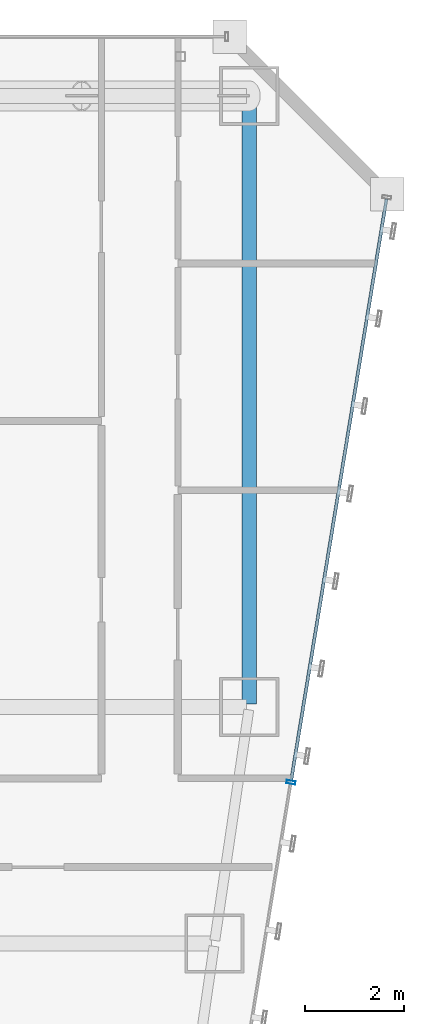
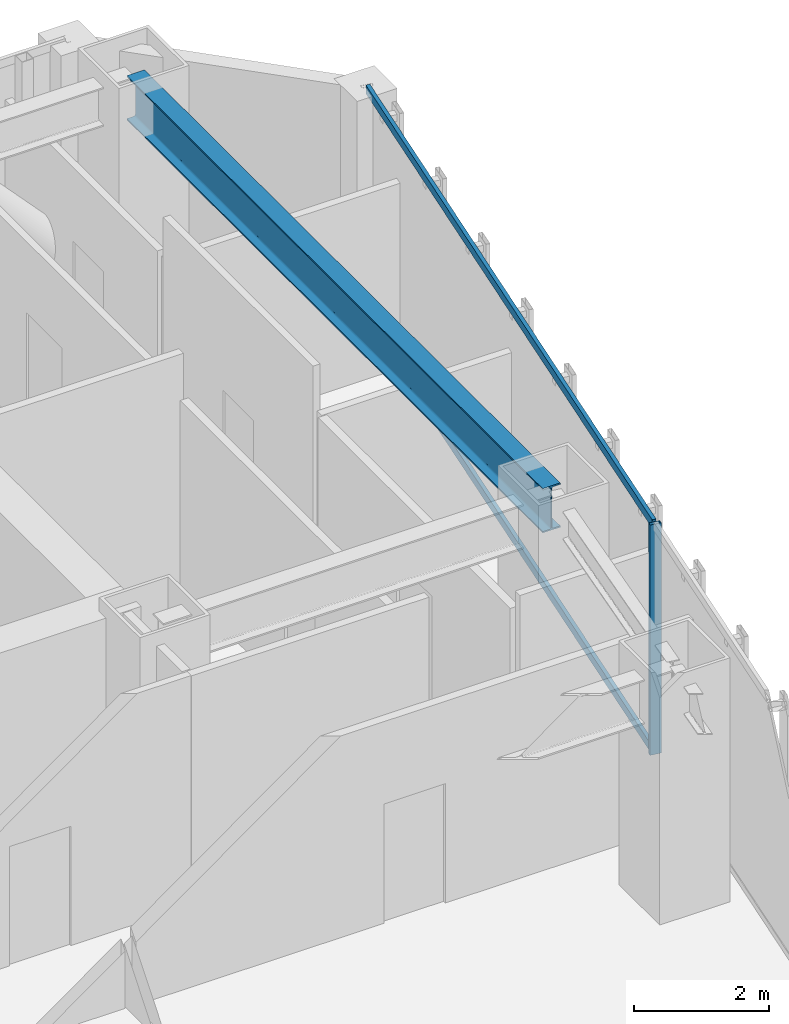
# One storey, part 31 of 47: 3 members, 1 beam, 1 element without a shape of its own.
"""IFC4 building model written with IfcOpenShell, lengths in metres."""

from ifc_helpers import new_model, si_unit, direction, frame, origin, origin_2d, place, context, subcontext, project, spatial, hollow_rectangle, i_section, extrude, material, material_profile, profile_set, type_object, element, aggregate, save


model = new_model("IFC4")

# Units and contexts
model_context = context("Model", 3, precision=1e-05, world=origin(), true_north=direction((0.0, 1.0)))
body_context = subcontext(model_context, "Body", "Model", "MODEL_VIEW")
ifc_project = project(units=[si_unit("LENGTHUNIT", "METRE"), si_unit("AREAUNIT", "SQUARE_METRE"), si_unit("VOLUMEUNIT", "CUBIC_METRE"), si_unit("PLANEANGLEUNIT", "RADIAN"), si_unit("MASSUNIT", "GRAM", prefix="KILO")], contexts=[model_context])

# Site, building, storey
site_placement = place(None, origin())
site = spatial("IfcSite", under=ifc_project, at=site_placement, CompositionType="ELEMENT")
building_placement = place(site_placement, origin())
building = spatial("IfcBuilding", under=site, at=building_placement, Name="Saevonmaru Cultural Tower", CompositionType="ELEMENT")
storey_placement = place(building_placement, frame((0.0, 0.0, 47.199951171875)))
storey = spatial("IfcBuildingStorey", under=building, at=storey_placement, Name="L09", CompositionType="ELEMENT", Elevation=47.199951171875)

# Beam
ifc_material_1 = material(Name="Steel SM420", Category="steel")
ifc_material_profile_1 = material_profile(ifc_material_1, i_section(OverallWidth=0.300048828125, OverallDepth=0.800048828125, WebThickness=0.013916015625, FlangeThickness=0.02587890625, FilletRadius=0.028076171875, at=origin_2d()), Name="H-800x300x14x26")
ifc_profile_set_1 = profile_set([ifc_material_profile_1], Name="Steel SM420")
beam_type = type_object("IfcBeamType", Name="BM-G-H800", PredefinedType="BEAM", material=ifc_profile_set_1)
beam_placement = place(storey_placement, frame((53.199951171875, 54.739990234375, 3.75), z_axis=(0.0, -1.0, 0.0), x_axis=(1.0, 0.0, 0.0)))
element("IfcBeam", 1, at=beam_placement, inside=storey, type_object=beam_type, Name="L09 Spine Transverse Girder E", PredefinedType="BEAM", context=body_context, shape_type="SweptSolid", body=[
    extrude(i_section(OverallWidth=0.300048828125, OverallDepth=0.800048828125, WebThickness=0.013916015625, FlangeThickness=0.02587890625, FilletRadius=0.028076171875, at=origin_2d()), origin(), (0.0, 0.0, 1.0), 12.280029296875),
])

# Curtain wall, members
ifc_material_2 = material(Name="Satin Bronze Anodised Aluminium", Category="aluminium")
curtain_wall_type = type_object("IfcCurtainWallType", Name="CW-TYP-A", PredefinedType="NOTDEFINED", material=ifc_material_2)
curtain_wall_placement = place(storey_placement, origin())
curtain_wall = element("IfcCurtainWall", 2, at=curtain_wall_placement, inside=storey, type_object=curtain_wall_type, Name="L09 Unitised Curtain Wall E8", PredefinedType="NOTDEFINED")
ifc_material_profile_2 = material_profile(ifc_material_2, hollow_rectangle(XDim=0.06494140625, YDim=0.179931640625, WallThickness=0.00390625, at=origin_2d()), Name="ALU-MULL-180x65x4")
ifc_profile_set_2 = profile_set([ifc_material_profile_2], Name="Satin Bronze Anodised Aluminium")
member_type_1 = type_object("IfcMemberType", Name="ML-CW-180x65", PredefinedType="MULLION", material=ifc_profile_set_2)
member_1_placement = place(storey_placement, frame((54.045166015625, 40.870361328125, 0.0), z_axis=(0.0, 0.0, 1.0), x_axis=(0.161708868641, 0.986838508472, 0.0)))
member_1 = element("IfcMember", 3, at=member_1_placement, type_object=member_type_1, Name="CW-TW-L09-E8 mullion 4", PredefinedType="MULLION", context=body_context, shape_type="SweptSolid", body=[
    extrude(hollow_rectangle(XDim=0.06494140625, YDim=0.179931640625, WallThickness=0.00390625, at=origin_2d()), origin(), (0.0, 0.0, 1.0), 4.150146484375),
])
ifc_material_profile_3 = material_profile(ifc_material_2, hollow_rectangle(XDim=0.06494140625, YDim=0.14990234375, WallThickness=0.00390625, at=origin_2d()), Name="ALU-TRAN-150x65x4")
ifc_profile_set_3 = profile_set([ifc_material_profile_3], Name="Satin Bronze Anodised Aluminium")
member_type_2 = type_object("IfcMemberType", Name="TR-CW-150x65", PredefinedType="USERDEFINED", material=ifc_profile_set_3)
member_2_placement = place(storey_placement, frame((54.05029296875, 40.902587890625, 0.032470703125), z_axis=(0.161724530373, 0.986835941925, 0.0), x_axis=(-0.986835941925, 0.161724530373, 0.0)))
member_2 = element("IfcMember", 4, at=member_2_placement, type_object=member_type_2, Name="CW-TW-L09-E8 transom 4.1", ObjectType="TRANSOM", PredefinedType="USERDEFINED", context=body_context, shape_type="SweptSolid", body=[
    extrude(hollow_rectangle(XDim=0.06494140625, YDim=0.14990234375, WallThickness=0.00390625, at=origin_2d()), origin(), (0.0, 0.0, 1.0), 11.963623046875),
])
member_3_placement = place(storey_placement, frame((54.05029296875, 40.902587890625, 4.117431640625), z_axis=(0.161724530373, 0.986835941925, 0.0), x_axis=(-0.986835941925, 0.161724530373, 0.0)))
member_3 = element("IfcMember", 5, at=member_3_placement, type_object=member_type_2, Name="CW-TW-L09-E8 transom 4.2", ObjectType="TRANSOM", PredefinedType="USERDEFINED", context=body_context, shape_type="SweptSolid", body=[
    extrude(hollow_rectangle(XDim=0.06494140625, YDim=0.14990234375, WallThickness=0.00390625, at=origin_2d()), origin(), (0.0, 0.0, 1.0), 11.963623046875),
])
aggregate(curtain_wall, [member_1, member_2, member_3])

save(model, "model.ifc")
